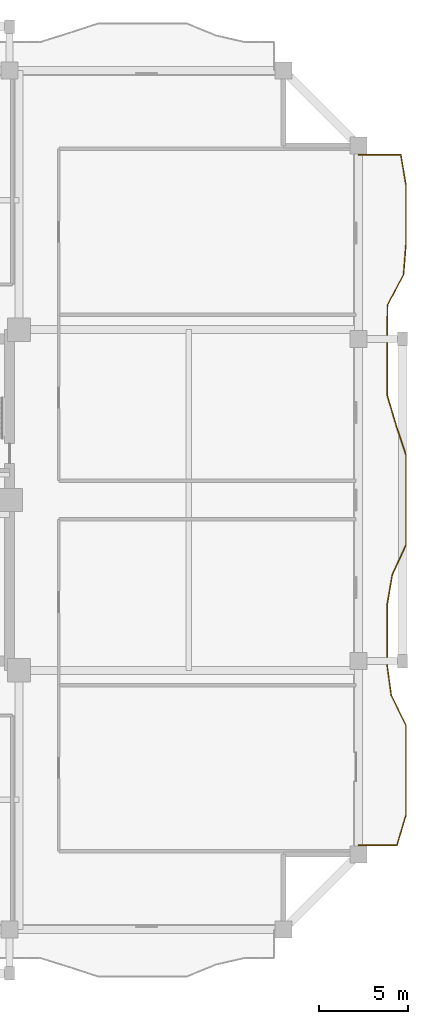
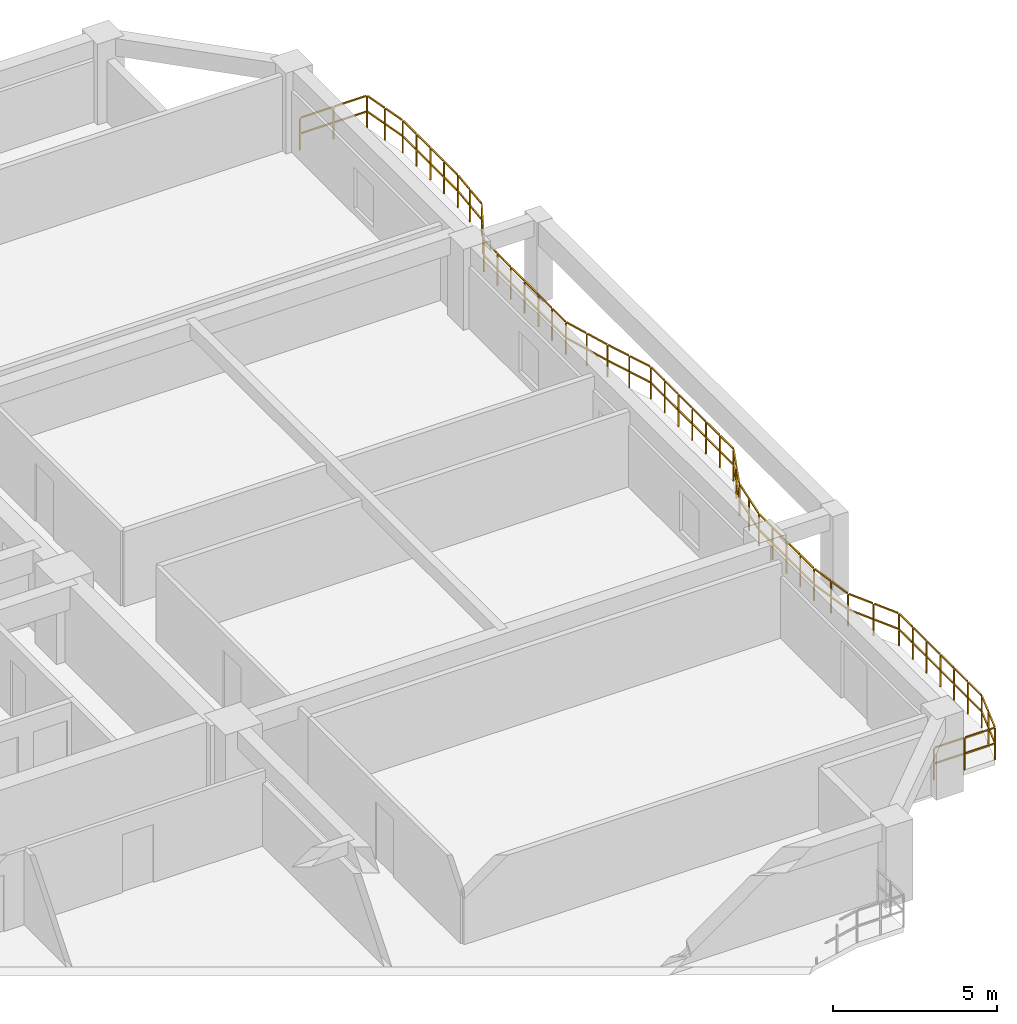
# One storey, part 10 of 11: 1 railing.
"""IFC4 building model written with IfcOpenShell, lengths in metres."""

from ifc_helpers import new_model, si_unit, direction, frame, origin, origin_2d, place, context, subcontext, project, spatial, rectangle, extrude, material, type_object, element, save


model = new_model("IFC4")

# Units and contexts
model_context = context("Model", 3, precision=1e-05, world=origin(), true_north=direction((0.0, 1.0)))
body_context = subcontext(model_context, "Body", "Model", "MODEL_VIEW")
ifc_project = project(units=[si_unit("LENGTHUNIT", "METRE"), si_unit("AREAUNIT", "SQUARE_METRE"), si_unit("VOLUMEUNIT", "CUBIC_METRE"), si_unit("PLANEANGLEUNIT", "RADIAN"), si_unit("MASSUNIT", "GRAM", prefix="KILO")], contexts=[model_context])

# Site, building, storey
site_placement = place(None, origin())
site = spatial("IfcSite", under=ifc_project, at=site_placement, CompositionType="ELEMENT")
building_placement = place(site_placement, origin())
building = spatial("IfcBuilding", under=site, at=building_placement, Name="Saelheon Loggia Tower", CompositionType="ELEMENT")
storey_placement = place(building_placement, frame((0.0, 0.0, 138.75)))
storey = spatial("IfcBuildingStorey", under=building, at=storey_placement, Name="L44", CompositionType="ELEMENT", Elevation=138.75)

# Railing
ifc_material = material(Name="Architectural Precast Concrete and Laminated Glass Guard", Category="concrete")
railing_type = type_object("IfcRailingType", Name="Guard_Loggia_RL_LOG", PredefinedType="BALUSTRADE", material=ifc_material)
railing_placement = place(storey_placement, frame((64.0, 7.699951171875, 0.0)))
element("IfcRailing", 1, at=railing_placement, inside=storey, type_object=railing_type, Name="L44 East Loggia Balustrade", PredefinedType="BALUSTRADE", context=body_context, shape_type="SweptSolid", body=[
    extrude(rectangle(XDim=0.048095703125, YDim=0.048095703125, at=origin_2d()), frame((0.033203125, 0.0, 1.19580078125), z_axis=(1.0, 0.0, 0.0), x_axis=(0.0, 1.0, 0.0)), (0.0, 0.0, 1.0), 1.008544921875),
    extrude(rectangle(XDim=0.048095703125, YDim=0.048095703125, at=origin_2d()), frame((0.033203125, 0.0, 0.60986328125), z_axis=(1.0, 0.0, 0.0), x_axis=(0.0, 1.0, 0.0)), (0.0, 0.0, 1.0), 1.008544921875),
    extrude(rectangle(XDim=0.048095703125, YDim=0.048095703125, at=origin_2d()), frame((1.108154296875, 0.0, 1.19580078125), z_axis=(1.0, 0.0, 0.0), x_axis=(0.0, 1.0, 0.0)), (0.0, 0.0, 1.0), 1.008544921875),
    extrude(rectangle(XDim=0.048095703125, YDim=0.048095703125, at=origin_2d()), frame((1.108154296875, 0.0, 0.60986328125), z_axis=(1.0, 0.0, 0.0), x_axis=(0.0, 1.0, 0.0)), (0.0, 0.0, 1.0), 1.008544921875),
    extrude(rectangle(XDim=0.048095703125, YDim=0.048095703125, at=origin_2d()), frame((2.159423828125, 0.03173828125, 1.19580078125), z_axis=(0.285492932105, 0.958380814561, 0.0), x_axis=(-0.958380814561, 0.285492932105, 0.0)), (0.0, 0.0, 1.0), 0.809326171875),
    extrude(rectangle(XDim=0.048095703125, YDim=0.048095703125, at=origin_2d()), frame((2.159423828125, 0.03173828125, 0.60986328125), z_axis=(0.285492932105, 0.958380814561, 0.0), x_axis=(-0.958380814561, 0.285492932105, 0.0)), (0.0, 0.0, 1.0), 0.809326171875),
    extrude(rectangle(XDim=0.048095703125, YDim=0.048095703125, at=origin_2d()), frame((2.409423828125, 0.87109375, 1.19580078125), z_axis=(0.285492932105, 0.958380814561, 0.0), x_axis=(-0.958380814561, 0.285492932105, 0.0)), (0.0, 0.0, 1.0), 0.809326171875),
    extrude(rectangle(XDim=0.048095703125, YDim=0.048095703125, at=origin_2d()), frame((2.409423828125, 0.87109375, 0.60986328125), z_axis=(0.285492932105, 0.958380814561, 0.0), x_axis=(-0.958380814561, 0.285492932105, 0.0)), (0.0, 0.0, 1.0), 0.809326171875),
    extrude(rectangle(XDim=0.048095703125, YDim=0.048095703125, at=origin_2d()), frame((2.64990234375, 1.711669921875, 1.19580078125), z_axis=(0.0, 1.0, 0.0), x_axis=(-1.0, 0.0, 0.0)), (0.0, 0.0, 1.0), 0.7724609375),
    extrude(rectangle(XDim=0.048095703125, YDim=0.048095703125, at=origin_2d()), frame((2.64990234375, 1.711669921875, 0.60986328125), z_axis=(0.0, 1.0, 0.0), x_axis=(-1.0, 0.0, 0.0)), (0.0, 0.0, 1.0), 0.7724609375),
    extrude(rectangle(XDim=0.048095703125, YDim=0.048095703125, at=origin_2d()), frame((2.64990234375, 2.55078125, 1.19580078125), z_axis=(0.0, 1.0, 0.0), x_axis=(-1.0, 0.0, 0.0)), (0.0, 0.0, 1.0), 0.7724609375),
    extrude(rectangle(XDim=0.048095703125, YDim=0.048095703125, at=origin_2d()), frame((2.64990234375, 2.55078125, 0.60986328125), z_axis=(0.0, 1.0, 0.0), x_axis=(-1.0, 0.0, 0.0)), (0.0, 0.0, 1.0), 0.7724609375),
    extrude(rectangle(XDim=0.048095703125, YDim=0.048095703125, at=origin_2d()), frame((2.64990234375, 3.3896484375, 1.19580078125), z_axis=(0.0, 1.0, 0.0), x_axis=(-1.0, 0.0, 0.0)), (0.0, 0.0, 1.0), 0.772705078125),
    extrude(rectangle(XDim=0.048095703125, YDim=0.048095703125, at=origin_2d()), frame((2.64990234375, 3.3896484375, 0.60986328125), z_axis=(0.0, 1.0, 0.0), x_axis=(-1.0, 0.0, 0.0)), (0.0, 0.0, 1.0), 0.772705078125),
    extrude(rectangle(XDim=0.048095703125, YDim=0.048095703125, at=origin_2d()), frame((2.64990234375, 4.22900390625, 1.19580078125), z_axis=(0.0, 1.0, 0.0), x_axis=(-1.0, 0.0, 0.0)), (0.0, 0.0, 1.0), 0.772705078125),
    extrude(rectangle(XDim=0.048095703125, YDim=0.048095703125, at=origin_2d()), frame((2.64990234375, 4.22900390625, 0.60986328125), z_axis=(0.0, 1.0, 0.0), x_axis=(-1.0, 0.0, 0.0)), (0.0, 0.0, 1.0), 0.772705078125),
    extrude(rectangle(XDim=0.048095703125, YDim=0.048095703125, at=origin_2d()), frame((2.64990234375, 5.068115234375, 1.19580078125), z_axis=(0.0, 1.0, 0.0), x_axis=(-1.0, 0.0, 0.0)), (0.0, 0.0, 1.0), 0.772705078125),
    extrude(rectangle(XDim=0.048095703125, YDim=0.048095703125, at=origin_2d()), frame((2.64990234375, 5.068115234375, 0.60986328125), z_axis=(0.0, 1.0, 0.0), x_axis=(-1.0, 0.0, 0.0)), (0.0, 0.0, 1.0), 0.772705078125),
    extrude(rectangle(XDim=0.048095703125, YDim=0.048095703125, at=origin_2d()), frame((2.64990234375, 5.9072265625, 1.19580078125), z_axis=(0.0, 1.0, 0.0), x_axis=(-1.0, 0.0, 0.0)), (0.0, 0.0, 1.0), 0.772705078125),
    extrude(rectangle(XDim=0.048095703125, YDim=0.048095703125, at=origin_2d()), frame((2.64990234375, 5.9072265625, 0.60986328125), z_axis=(0.0, 1.0, 0.0), x_axis=(-1.0, 0.0, 0.0)), (0.0, 0.0, 1.0), 0.772705078125),
    extrude(rectangle(XDim=0.048095703125, YDim=0.048095703125, at=origin_2d()), frame((2.63525390625, 6.742919921875, 1.19580078125), z_axis=(-0.438299970377, 0.898828757867, 0.0), x_axis=(-0.898828757867, -0.438299970377, 0.0)), (0.0, 0.0, 1.0), 0.8671875),
    extrude(rectangle(XDim=0.048095703125, YDim=0.048095703125, at=origin_2d()), frame((2.63525390625, 6.742919921875, 0.60986328125), z_axis=(-0.438299970377, 0.898828757867, 0.0), x_axis=(-0.898828757867, -0.438299970377, 0.0)), (0.0, 0.0, 1.0), 0.8671875),
    extrude(rectangle(XDim=0.048095703125, YDim=0.048095703125, at=origin_2d()), frame((2.22607421875, 7.58203125, 1.19580078125), z_axis=(-0.438299970377, 0.898828757867, 0.0), x_axis=(-0.898828757867, -0.438299970377, 0.0)), (0.0, 0.0, 1.0), 0.8671875),
    extrude(rectangle(XDim=0.048095703125, YDim=0.048095703125, at=origin_2d()), frame((2.22607421875, 7.58203125, 0.60986328125), z_axis=(-0.438299970377, 0.898828757867, 0.0), x_axis=(-0.898828757867, -0.438299970377, 0.0)), (0.0, 0.0, 1.0), 0.8671875),
    extrude(rectangle(XDim=0.048095703125, YDim=0.048095703125, at=origin_2d()), frame((1.826904296875, 8.42431640625, 1.19580078125), z_axis=(-0.136617890743, 0.990623819585, 0.0), x_axis=(-0.990623819585, -0.136617890743, 0.0)), (0.0, 0.0, 1.0), 0.780517578125),
    extrude(rectangle(XDim=0.048095703125, YDim=0.048095703125, at=origin_2d()), frame((1.826904296875, 8.42431640625, 0.60986328125), z_axis=(-0.136617890743, 0.990623819585, 0.0), x_axis=(-0.990623819585, -0.136617890743, 0.0)), (0.0, 0.0, 1.0), 0.780517578125),
    extrude(rectangle(XDim=0.048095703125, YDim=0.048095703125, at=origin_2d()), frame((1.711181640625, 9.263427734375, 1.19580078125), z_axis=(-0.136617890743, 0.990623819585, 0.0), x_axis=(-0.990623819585, -0.136617890743, 0.0)), (0.0, 0.0, 1.0), 0.780517578125),
    extrude(rectangle(XDim=0.048095703125, YDim=0.048095703125, at=origin_2d()), frame((1.711181640625, 9.263427734375, 0.60986328125), z_axis=(-0.136617890743, 0.990623819585, 0.0), x_axis=(-0.990623819585, -0.136617890743, 0.0)), (0.0, 0.0, 1.0), 0.780517578125),
    extrude(rectangle(XDim=0.048095703125, YDim=0.048095703125, at=origin_2d()), frame((1.60009765625, 10.102783203125, 1.19580078125), z_axis=(0.0, 1.0, 0.0), x_axis=(-1.0, 0.0, 0.0)), (0.0, 0.0, 1.0), 0.772705078125),
    extrude(rectangle(XDim=0.048095703125, YDim=0.048095703125, at=origin_2d()), frame((1.60009765625, 10.102783203125, 0.60986328125), z_axis=(0.0, 1.0, 0.0), x_axis=(-1.0, 0.0, 0.0)), (0.0, 0.0, 1.0), 0.772705078125),
    extrude(rectangle(XDim=0.048095703125, YDim=0.048095703125, at=origin_2d()), frame((1.60009765625, 10.94189453125, 1.19580078125), z_axis=(0.0, 1.0, 0.0), x_axis=(-1.0, 0.0, 0.0)), (0.0, 0.0, 1.0), 0.772705078125),
    extrude(rectangle(XDim=0.048095703125, YDim=0.048095703125, at=origin_2d()), frame((1.60009765625, 10.94189453125, 0.60986328125), z_axis=(0.0, 1.0, 0.0), x_axis=(-1.0, 0.0, 0.0)), (0.0, 0.0, 1.0), 0.772705078125),
    extrude(rectangle(XDim=0.048095703125, YDim=0.048095703125, at=origin_2d()), frame((1.60009765625, 11.781005859375, 1.19580078125), z_axis=(0.0, 1.0, 0.0), x_axis=(-1.0, 0.0, 0.0)), (0.0, 0.0, 1.0), 0.772705078125),
    extrude(rectangle(XDim=0.048095703125, YDim=0.048095703125, at=origin_2d()), frame((1.60009765625, 11.781005859375, 0.60986328125), z_axis=(0.0, 1.0, 0.0), x_axis=(-1.0, 0.0, 0.0)), (0.0, 0.0, 1.0), 0.772705078125),
    extrude(rectangle(XDim=0.048095703125, YDim=0.048095703125, at=origin_2d()), frame((1.60009765625, 12.620361328125, 1.19580078125), z_axis=(0.0, 1.0, 0.0), x_axis=(-1.0, 0.0, 0.0)), (0.0, 0.0, 1.0), 0.772705078125),
    extrude(rectangle(XDim=0.048095703125, YDim=0.048095703125, at=origin_2d()), frame((1.60009765625, 12.620361328125, 0.60986328125), z_axis=(0.0, 1.0, 0.0), x_axis=(-1.0, 0.0, 0.0)), (0.0, 0.0, 1.0), 0.772705078125),
    extrude(rectangle(XDim=0.048095703125, YDim=0.048095703125, at=origin_2d()), frame((1.605712890625, 13.458984375, 1.19580078125), z_axis=(0.165864644071, 0.986148528289, 0.0), x_axis=(-0.986148528289, 0.165864644071, 0.0)), (0.0, 0.0, 1.0), 0.784423828125),
    extrude(rectangle(XDim=0.048095703125, YDim=0.048095703125, at=origin_2d()), frame((1.605712890625, 13.458984375, 0.60986328125), z_axis=(0.165864644071, 0.986148528289, 0.0), x_axis=(-0.986148528289, 0.165864644071, 0.0)), (0.0, 0.0, 1.0), 0.784423828125),
    extrude(rectangle(XDim=0.048095703125, YDim=0.048095703125, at=origin_2d()), frame((1.746826171875, 14.298095703125, 1.19580078125), z_axis=(0.165864644071, 0.986148528289, 0.0), x_axis=(-0.986148528289, 0.165864644071, 0.0)), (0.0, 0.0, 1.0), 0.784423828125),
    extrude(rectangle(XDim=0.048095703125, YDim=0.048095703125, at=origin_2d()), frame((1.746826171875, 14.298095703125, 0.60986328125), z_axis=(0.165864644071, 0.986148528289, 0.0), x_axis=(-0.986148528289, 0.165864644071, 0.0)), (0.0, 0.0, 1.0), 0.784423828125),
    extrude(rectangle(XDim=0.048095703125, YDim=0.048095703125, at=origin_2d()), frame((1.896240234375, 15.134521484375, 1.19580078125), z_axis=(0.41588480052, 0.909417303935, 0.0), x_axis=(-0.909417303935, 0.41588480052, 0.0)), (0.0, 0.0, 1.0), 0.8564453125),
    extrude(rectangle(XDim=0.048095703125, YDim=0.048095703125, at=origin_2d()), frame((1.896240234375, 15.134521484375, 0.60986328125), z_axis=(0.41588480052, 0.909417303935, 0.0), x_axis=(-0.909417303935, 0.41588480052, 0.0)), (0.0, 0.0, 1.0), 0.8564453125),
    extrude(rectangle(XDim=0.048095703125, YDim=0.048095703125, at=origin_2d()), frame((2.280029296875, 15.9736328125, 1.19580078125), z_axis=(0.41588480052, 0.909417303935, 0.0), x_axis=(-0.909417303935, 0.41588480052, 0.0)), (0.0, 0.0, 1.0), 0.8564453125),
    extrude(rectangle(XDim=0.048095703125, YDim=0.048095703125, at=origin_2d()), frame((2.280029296875, 15.9736328125, 0.60986328125), z_axis=(0.41588480052, 0.909417303935, 0.0), x_axis=(-0.909417303935, 0.41588480052, 0.0)), (0.0, 0.0, 1.0), 0.8564453125),
    extrude(rectangle(XDim=0.048095703125, YDim=0.048095703125, at=origin_2d()), frame((2.64990234375, 16.81591796875, 1.19580078125), z_axis=(0.0, 1.0, 0.0), x_axis=(-1.0, 0.0, 0.0)), (0.0, 0.0, 1.0), 0.772705078125),
    extrude(rectangle(XDim=0.048095703125, YDim=0.048095703125, at=origin_2d()), frame((2.64990234375, 16.81591796875, 0.60986328125), z_axis=(0.0, 1.0, 0.0), x_axis=(-1.0, 0.0, 0.0)), (0.0, 0.0, 1.0), 0.772705078125),
    extrude(rectangle(XDim=0.048095703125, YDim=0.048095703125, at=origin_2d()), frame((2.64990234375, 17.655029296875, 1.19580078125), z_axis=(0.0, 1.0, 0.0), x_axis=(-1.0, 0.0, 0.0)), (0.0, 0.0, 1.0), 0.772705078125),
    extrude(rectangle(XDim=0.048095703125, YDim=0.048095703125, at=origin_2d()), frame((2.64990234375, 17.655029296875, 0.60986328125), z_axis=(0.0, 1.0, 0.0), x_axis=(-1.0, 0.0, 0.0)), (0.0, 0.0, 1.0), 0.772705078125),
    extrude(rectangle(XDim=0.048095703125, YDim=0.048095703125, at=origin_2d()), frame((2.64990234375, 18.494140625, 1.19580078125), z_axis=(0.0, 1.0, 0.0), x_axis=(-1.0, 0.0, 0.0)), (0.0, 0.0, 1.0), 0.772705078125),
    extrude(rectangle(XDim=0.048095703125, YDim=0.048095703125, at=origin_2d()), frame((2.64990234375, 18.494140625, 0.60986328125), z_axis=(0.0, 1.0, 0.0), x_axis=(-1.0, 0.0, 0.0)), (0.0, 0.0, 1.0), 0.772705078125),
    extrude(rectangle(XDim=0.048095703125, YDim=0.048095703125, at=origin_2d()), frame((2.64990234375, 19.333251953125, 1.19580078125), z_axis=(0.0, 1.0, 0.0), x_axis=(-1.0, 0.0, 0.0)), (0.0, 0.0, 1.0), 0.772705078125),
    extrude(rectangle(XDim=0.048095703125, YDim=0.048095703125, at=origin_2d()), frame((2.64990234375, 19.333251953125, 0.60986328125), z_axis=(0.0, 1.0, 0.0), x_axis=(-1.0, 0.0, 0.0)), (0.0, 0.0, 1.0), 0.772705078125),
    extrude(rectangle(XDim=0.048095703125, YDim=0.048095703125, at=origin_2d()), frame((2.64990234375, 20.17236328125, 1.19580078125), z_axis=(0.0, 1.0, 0.0), x_axis=(-1.0, 0.0, 0.0)), (0.0, 0.0, 1.0), 0.772705078125),
    extrude(rectangle(XDim=0.048095703125, YDim=0.048095703125, at=origin_2d()), frame((2.64990234375, 20.17236328125, 0.60986328125), z_axis=(0.0, 1.0, 0.0), x_axis=(-1.0, 0.0, 0.0)), (0.0, 0.0, 1.0), 0.772705078125),
    extrude(rectangle(XDim=0.048095703125, YDim=0.048095703125, at=origin_2d()), frame((2.64990234375, 21.011474609375, 1.19580078125), z_axis=(0.0, 1.0, 0.0), x_axis=(-1.0, 0.0, 0.0)), (0.0, 0.0, 1.0), 0.772705078125),
    extrude(rectangle(XDim=0.048095703125, YDim=0.048095703125, at=origin_2d()), frame((2.64990234375, 21.011474609375, 0.60986328125), z_axis=(0.0, 1.0, 0.0), x_axis=(-1.0, 0.0, 0.0)), (0.0, 0.0, 1.0), 0.772705078125),
    extrude(rectangle(XDim=0.048095703125, YDim=0.048095703125, at=origin_2d()), frame((2.639404296875, 21.848876953125, 1.19580078125), z_axis=(-0.312411606213, 0.949946834461, 0.0), x_axis=(-0.949946834461, -0.312411606213, 0.0)), (0.0, 0.0, 1.0), 0.81689453125),
    extrude(rectangle(XDim=0.048095703125, YDim=0.048095703125, at=origin_2d()), frame((2.639404296875, 21.848876953125, 0.60986328125), z_axis=(-0.312411606213, 0.949946834461, 0.0), x_axis=(-0.949946834461, -0.312411606213, 0.0)), (0.0, 0.0, 1.0), 0.81689453125),
    extrude(rectangle(XDim=0.048095703125, YDim=0.048095703125, at=origin_2d()), frame((2.363525390625, 22.688232421875, 1.19580078125), z_axis=(-0.312411606213, 0.949946834461, 0.0), x_axis=(-0.949946834461, -0.312411606213, 0.0)), (0.0, 0.0, 1.0), 0.81689453125),
    extrude(rectangle(XDim=0.048095703125, YDim=0.048095703125, at=origin_2d()), frame((2.363525390625, 22.688232421875, 0.60986328125), z_axis=(-0.312411606213, 0.949946834461, 0.0), x_axis=(-0.949946834461, -0.312411606213, 0.0)), (0.0, 0.0, 1.0), 0.81689453125),
    extrude(rectangle(XDim=0.048095703125, YDim=0.048095703125, at=origin_2d()), frame((2.08837890625, 23.52783203125, 1.19580078125), z_axis=(-0.284416013132, 0.958700960401, 0.0), x_axis=(-0.958700960401, -0.284416013132, 0.0)), (0.0, 0.0, 1.0), 0.80859375),
    extrude(rectangle(XDim=0.048095703125, YDim=0.048095703125, at=origin_2d()), frame((2.08837890625, 23.52783203125, 0.60986328125), z_axis=(-0.284416013132, 0.958700960401, 0.0), x_axis=(-0.958700960401, -0.284416013132, 0.0)), (0.0, 0.0, 1.0), 0.80859375),
    extrude(rectangle(XDim=0.048095703125, YDim=0.048095703125, at=origin_2d()), frame((1.839599609375, 24.36669921875, 1.19580078125), z_axis=(-0.284416013132, 0.958700960401, 0.0), x_axis=(-0.958700960401, -0.284416013132, 0.0)), (0.0, 0.0, 1.0), 0.80859375),
    extrude(rectangle(XDim=0.048095703125, YDim=0.048095703125, at=origin_2d()), frame((1.839599609375, 24.36669921875, 0.60986328125), z_axis=(-0.284416013132, 0.958700960401, 0.0), x_axis=(-0.958700960401, -0.284416013132, 0.0)), (0.0, 0.0, 1.0), 0.80859375),
    extrude(rectangle(XDim=0.048095703125, YDim=0.048095703125, at=origin_2d()), frame((1.60009765625, 25.20703125, 1.19580078125), z_axis=(0.0, 1.0, 0.0), x_axis=(-1.0, 0.0, 0.0)), (0.0, 0.0, 1.0), 0.772705078125),
    extrude(rectangle(XDim=0.048095703125, YDim=0.048095703125, at=origin_2d()), frame((1.60009765625, 25.20703125, 0.60986328125), z_axis=(0.0, 1.0, 0.0), x_axis=(-1.0, 0.0, 0.0)), (0.0, 0.0, 1.0), 0.772705078125),
    extrude(rectangle(XDim=0.048095703125, YDim=0.048095703125, at=origin_2d()), frame((1.60009765625, 26.04638671875, 1.19580078125), z_axis=(0.0, 1.0, 0.0), x_axis=(-1.0, 0.0, 0.0)), (0.0, 0.0, 1.0), 0.772705078125),
    extrude(rectangle(XDim=0.048095703125, YDim=0.048095703125, at=origin_2d()), frame((1.60009765625, 26.04638671875, 0.60986328125), z_axis=(0.0, 1.0, 0.0), x_axis=(-1.0, 0.0, 0.0)), (0.0, 0.0, 1.0), 0.772705078125),
    extrude(rectangle(XDim=0.048095703125, YDim=0.048095703125, at=origin_2d()), frame((1.60009765625, 26.885498046875, 1.19580078125), z_axis=(0.0, 1.0, 0.0), x_axis=(-1.0, 0.0, 0.0)), (0.0, 0.0, 1.0), 0.772705078125),
    extrude(rectangle(XDim=0.048095703125, YDim=0.048095703125, at=origin_2d()), frame((1.60009765625, 26.885498046875, 0.60986328125), z_axis=(0.0, 1.0, 0.0), x_axis=(-1.0, 0.0, 0.0)), (0.0, 0.0, 1.0), 0.772705078125),
    extrude(rectangle(XDim=0.048095703125, YDim=0.048095703125, at=origin_2d()), frame((1.60009765625, 27.724609375, 1.19580078125), z_axis=(0.0, 1.0, 0.0), x_axis=(-1.0, 0.0, 0.0)), (0.0, 0.0, 1.0), 0.772705078125),
    extrude(rectangle(XDim=0.048095703125, YDim=0.048095703125, at=origin_2d()), frame((1.60009765625, 27.724609375, 0.60986328125), z_axis=(0.0, 1.0, 0.0), x_axis=(-1.0, 0.0, 0.0)), (0.0, 0.0, 1.0), 0.772705078125),
    extrude(rectangle(XDim=0.048095703125, YDim=0.048095703125, at=origin_2d()), frame((1.6005859375, 28.563720703125, 1.19580078125), z_axis=(0.014982315851, 0.999887758807, 0.0), x_axis=(-0.999887758807, 0.014982315851, 0.0)), (0.0, 0.0, 1.0), 0.772705078125),
    extrude(rectangle(XDim=0.048095703125, YDim=0.048095703125, at=origin_2d()), frame((1.6005859375, 28.563720703125, 0.60986328125), z_axis=(0.014982315851, 0.999887758807, 0.0), x_axis=(-0.999887758807, 0.014982315851, 0.0)), (0.0, 0.0, 1.0), 0.772705078125),
    extrude(rectangle(XDim=0.048095703125, YDim=0.048095703125, at=origin_2d()), frame((1.61328125, 29.40283203125, 1.19580078125), z_axis=(0.014982315851, 0.999887758807, 0.0), x_axis=(-0.999887758807, 0.014982315851, 0.0)), (0.0, 0.0, 1.0), 0.772705078125),
    extrude(rectangle(XDim=0.048095703125, YDim=0.048095703125, at=origin_2d()), frame((1.61328125, 29.40283203125, 0.60986328125), z_axis=(0.014982315851, 0.999887758807, 0.0), x_axis=(-0.999887758807, 0.014982315851, 0.0)), (0.0, 0.0, 1.0), 0.772705078125),
    extrude(rectangle(XDim=0.048095703125, YDim=0.048095703125, at=origin_2d()), frame((1.640869140625, 30.238037109375, 1.19580078125), z_axis=(0.469974960168, 0.882679747595, 0.0), x_axis=(-0.882679747595, 0.469974960168, 0.0)), (0.0, 0.0, 1.0), 0.88427734375),
    extrude(rectangle(XDim=0.048095703125, YDim=0.048095703125, at=origin_2d()), frame((1.640869140625, 30.238037109375, 0.60986328125), z_axis=(0.469974960168, 0.882679747595, 0.0), x_axis=(-0.882679747595, 0.469974960168, 0.0)), (0.0, 0.0, 1.0), 0.88427734375),
    extrude(rectangle(XDim=0.048095703125, YDim=0.048095703125, at=origin_2d()), frame((2.087646484375, 31.0771484375, 1.19580078125), z_axis=(0.469974960168, 0.882679747595, 0.0), x_axis=(-0.882679747595, 0.469974960168, 0.0)), (0.0, 0.0, 1.0), 0.88427734375),
    extrude(rectangle(XDim=0.048095703125, YDim=0.048095703125, at=origin_2d()), frame((2.087646484375, 31.0771484375, 0.60986328125), z_axis=(0.469974960168, 0.882679747595, 0.0), x_axis=(-0.882679747595, 0.469974960168, 0.0)), (0.0, 0.0, 1.0), 0.88427734375),
    extrude(rectangle(XDim=0.048095703125, YDim=0.048095703125, at=origin_2d()), frame((2.521484375, 31.920166015625, 1.19580078125), z_axis=(0.07788316248, 0.996962493277, 0.0), x_axis=(-0.996962493277, 0.07788316248, 0.0)), (0.0, 0.0, 1.0), 0.775146484375),
    extrude(rectangle(XDim=0.048095703125, YDim=0.048095703125, at=origin_2d()), frame((2.521484375, 31.920166015625, 0.60986328125), z_axis=(0.07788316248, 0.996962493277, 0.0), x_axis=(-0.996962493277, 0.07788316248, 0.0)), (0.0, 0.0, 1.0), 0.775146484375),
    extrude(rectangle(XDim=0.048095703125, YDim=0.048095703125, at=origin_2d()), frame((2.5869140625, 32.75927734375, 1.19580078125), z_axis=(0.07788316248, 0.996962493277, 0.0), x_axis=(-0.996962493277, 0.07788316248, 0.0)), (0.0, 0.0, 1.0), 0.775146484375),
    extrude(rectangle(XDim=0.048095703125, YDim=0.048095703125, at=origin_2d()), frame((2.5869140625, 32.75927734375, 0.60986328125), z_axis=(0.07788316248, 0.996962493277, 0.0), x_axis=(-0.996962493277, 0.07788316248, 0.0)), (0.0, 0.0, 1.0), 0.775146484375),
    extrude(rectangle(XDim=0.048095703125, YDim=0.048095703125, at=origin_2d()), frame((2.64990234375, 33.598388671875, 1.19580078125), z_axis=(0.0, 1.0, 0.0), x_axis=(-1.0, 0.0, 0.0)), (0.0, 0.0, 1.0), 0.772705078125),
    extrude(rectangle(XDim=0.048095703125, YDim=0.048095703125, at=origin_2d()), frame((2.64990234375, 33.598388671875, 0.60986328125), z_axis=(0.0, 1.0, 0.0), x_axis=(-1.0, 0.0, 0.0)), (0.0, 0.0, 1.0), 0.772705078125),
    extrude(rectangle(XDim=0.048095703125, YDim=0.048095703125, at=origin_2d()), frame((2.64990234375, 34.437744140625, 1.19580078125), z_axis=(0.0, 1.0, 0.0), x_axis=(-1.0, 0.0, 0.0)), (0.0, 0.0, 1.0), 0.772705078125),
    extrude(rectangle(XDim=0.048095703125, YDim=0.048095703125, at=origin_2d()), frame((2.64990234375, 34.437744140625, 0.60986328125), z_axis=(0.0, 1.0, 0.0), x_axis=(-1.0, 0.0, 0.0)), (0.0, 0.0, 1.0), 0.772705078125),
    extrude(rectangle(XDim=0.048095703125, YDim=0.048095703125, at=origin_2d()), frame((2.64990234375, 35.27685546875, 1.19580078125), z_axis=(0.0, 1.0, 0.0), x_axis=(-1.0, 0.0, 0.0)), (0.0, 0.0, 1.0), 0.7724609375),
    extrude(rectangle(XDim=0.048095703125, YDim=0.048095703125, at=origin_2d()), frame((2.64990234375, 35.27685546875, 0.60986328125), z_axis=(0.0, 1.0, 0.0), x_axis=(-1.0, 0.0, 0.0)), (0.0, 0.0, 1.0), 0.7724609375),
    extrude(rectangle(XDim=0.048095703125, YDim=0.048095703125, at=origin_2d()), frame((2.64990234375, 36.115966796875, 1.19580078125), z_axis=(0.0, 1.0, 0.0), x_axis=(-1.0, 0.0, 0.0)), (0.0, 0.0, 1.0), 0.7724609375),
    extrude(rectangle(XDim=0.048095703125, YDim=0.048095703125, at=origin_2d()), frame((2.64990234375, 36.115966796875, 0.60986328125), z_axis=(0.0, 1.0, 0.0), x_axis=(-1.0, 0.0, 0.0)), (0.0, 0.0, 1.0), 0.7724609375),
    extrude(rectangle(XDim=0.048095703125, YDim=0.048095703125, at=origin_2d()), frame((2.644287109375, 36.954345703125, 1.19580078125), z_axis=(-0.166375627522, 0.9860624476, 0.0), x_axis=(-0.9860624476, -0.166375627522, 0.0)), (0.0, 0.0, 1.0), 0.78466796875),
    extrude(rectangle(XDim=0.048095703125, YDim=0.048095703125, at=origin_2d()), frame((2.644287109375, 36.954345703125, 0.60986328125), z_axis=(-0.166375627522, 0.9860624476, 0.0), x_axis=(-0.9860624476, -0.166375627522, 0.0)), (0.0, 0.0, 1.0), 0.78466796875),
    extrude(rectangle(XDim=0.048095703125, YDim=0.048095703125, at=origin_2d()), frame((2.502685546875, 37.793701171875, 1.19580078125), z_axis=(-0.166375627522, 0.9860624476, 0.0), x_axis=(-0.9860624476, -0.166375627522, 0.0)), (0.0, 0.0, 1.0), 0.78466796875),
    extrude(rectangle(XDim=0.048095703125, YDim=0.048095703125, at=origin_2d()), frame((2.502685546875, 37.793701171875, 0.60986328125), z_axis=(-0.166375627522, 0.9860624476, 0.0), x_axis=(-0.9860624476, -0.166375627522, 0.0)), (0.0, 0.0, 1.0), 0.78466796875),
    extrude(rectangle(XDim=0.048095703125, YDim=0.048095703125, at=origin_2d()), frame((2.33349609375, 38.60009765625, 1.19580078125), z_axis=(-1.0, 0.0, 0.0), x_axis=(0.0, -1.0, 0.0)), (0.0, 0.0, 1.0), 1.116943359375),
    extrude(rectangle(XDim=0.048095703125, YDim=0.048095703125, at=origin_2d()), frame((2.33349609375, 38.60009765625, 0.60986328125), z_axis=(-1.0, 0.0, 0.0), x_axis=(0.0, -1.0, 0.0)), (0.0, 0.0, 1.0), 1.116943359375),
    extrude(rectangle(XDim=0.048095703125, YDim=0.048095703125, at=origin_2d()), frame((1.150146484375, 38.60009765625, 1.19580078125), z_axis=(-1.0, 0.0, 0.0), x_axis=(0.0, -1.0, 0.0)), (0.0, 0.0, 1.0), 1.116943359375),
    extrude(rectangle(XDim=0.048095703125, YDim=0.048095703125, at=origin_2d()), frame((1.150146484375, 38.60009765625, 0.60986328125), z_axis=(-1.0, 0.0, 0.0), x_axis=(0.0, -1.0, 0.0)), (0.0, 0.0, 1.0), 1.116943359375),
    extrude(rectangle(XDim=0.0419921875, YDim=0.0419921875, at=origin_2d()), origin(), (0.0, 0.0, 1.0), 1.16796875),
    extrude(rectangle(XDim=0.0419921875, YDim=0.0419921875, at=origin_2d()), frame((1.074951171875, 0.0, 0.0)), (0.0, 0.0, 1.0), 1.16796875),
    extrude(rectangle(XDim=0.0419921875, YDim=0.0419921875, at=origin_2d()), frame((2.14990234375, 0.0, 0.0)), (0.0, 0.0, 1.0), 1.16796875),
    extrude(rectangle(XDim=0.0419921875, YDim=0.0419921875, at=origin_2d()), frame((2.39990234375, 0.83935546875, 0.0)), (0.0, 0.0, 1.0), 1.16796875),
    extrude(rectangle(XDim=0.0419921875, YDim=0.0419921875, at=origin_2d()), frame((2.64990234375, 1.678466796875, 0.0)), (0.0, 0.0, 1.0), 1.16796875),
    extrude(rectangle(XDim=0.0419921875, YDim=0.0419921875, at=origin_2d()), frame((2.64990234375, 2.517578125, 0.0)), (0.0, 0.0, 1.0), 1.16796875),
    extrude(rectangle(XDim=0.0419921875, YDim=0.0419921875, at=origin_2d()), frame((2.64990234375, 3.3564453125, 0.0)), (0.0, 0.0, 1.0), 1.16796875),
    extrude(rectangle(XDim=0.0419921875, YDim=0.0419921875, at=origin_2d()), frame((2.64990234375, 4.19580078125, 0.0)), (0.0, 0.0, 1.0), 1.16796875),
    extrude(rectangle(XDim=0.0419921875, YDim=0.0419921875, at=origin_2d()), frame((2.64990234375, 5.034912109375, 0.0)), (0.0, 0.0, 1.0), 1.16796875),
    extrude(rectangle(XDim=0.0419921875, YDim=0.0419921875, at=origin_2d()), frame((2.64990234375, 5.8740234375, 0.0)), (0.0, 0.0, 1.0), 1.16796875),
    extrude(rectangle(XDim=0.0419921875, YDim=0.0419921875, at=origin_2d()), frame((2.64990234375, 6.713134765625, 0.0)), (0.0, 0.0, 1.0), 1.16796875),
    extrude(rectangle(XDim=0.0419921875, YDim=0.0419921875, at=origin_2d()), frame((2.24072265625, 7.55224609375, 0.0)), (0.0, 0.0, 1.0), 1.16796875),
    extrude(rectangle(XDim=0.0419921875, YDim=0.0419921875, at=origin_2d()), frame((1.83154296875, 8.391357421875, 0.0)), (0.0, 0.0, 1.0), 1.16796875),
    extrude(rectangle(XDim=0.0419921875, YDim=0.0419921875, at=origin_2d()), frame((1.7158203125, 9.23046875, 0.0)), (0.0, 0.0, 1.0), 1.16796875),
    extrude(rectangle(XDim=0.0419921875, YDim=0.0419921875, at=origin_2d()), frame((1.60009765625, 10.069580078125, 0.0)), (0.0, 0.0, 1.0), 1.16796875),
    extrude(rectangle(XDim=0.0419921875, YDim=0.0419921875, at=origin_2d()), frame((1.60009765625, 10.90869140625, 0.0)), (0.0, 0.0, 1.0), 1.16796875),
    extrude(rectangle(XDim=0.0419921875, YDim=0.0419921875, at=origin_2d()), frame((1.60009765625, 11.747802734375, 0.0)), (0.0, 0.0, 1.0), 1.16796875),
    extrude(rectangle(XDim=0.0419921875, YDim=0.0419921875, at=origin_2d()), frame((1.60009765625, 12.5869140625, 0.0)), (0.0, 0.0, 1.0), 1.16796875),
    extrude(rectangle(XDim=0.0419921875, YDim=0.0419921875, at=origin_2d()), frame((1.60009765625, 13.42626953125, 0.0)), (0.0, 0.0, 1.0), 1.16796875),
    extrude(rectangle(XDim=0.0419921875, YDim=0.0419921875, at=origin_2d()), frame((1.7412109375, 14.26513671875, 0.0)), (0.0, 0.0, 1.0), 1.16796875),
    extrude(rectangle(XDim=0.0419921875, YDim=0.0419921875, at=origin_2d()), frame((1.88232421875, 15.104248046875, 0.0)), (0.0, 0.0, 1.0), 1.16796875),
    extrude(rectangle(XDim=0.0419921875, YDim=0.0419921875, at=origin_2d()), frame((2.26611328125, 15.943359375, 0.0)), (0.0, 0.0, 1.0), 1.16796875),
    extrude(rectangle(XDim=0.0419921875, YDim=0.0419921875, at=origin_2d()), frame((2.64990234375, 16.78271484375, 0.0)), (0.0, 0.0, 1.0), 1.16796875),
    extrude(rectangle(XDim=0.0419921875, YDim=0.0419921875, at=origin_2d()), frame((2.64990234375, 17.621826171875, 0.0)), (0.0, 0.0, 1.0), 1.16796875),
    extrude(rectangle(XDim=0.0419921875, YDim=0.0419921875, at=origin_2d()), frame((2.64990234375, 18.4609375, 0.0)), (0.0, 0.0, 1.0), 1.16796875),
    extrude(rectangle(XDim=0.0419921875, YDim=0.0419921875, at=origin_2d()), frame((2.64990234375, 19.300048828125, 0.0)), (0.0, 0.0, 1.0), 1.16796875),
    extrude(rectangle(XDim=0.0419921875, YDim=0.0419921875, at=origin_2d()), frame((2.64990234375, 20.13916015625, 0.0)), (0.0, 0.0, 1.0), 1.16796875),
    extrude(rectangle(XDim=0.0419921875, YDim=0.0419921875, at=origin_2d()), frame((2.64990234375, 20.978271484375, 0.0)), (0.0, 0.0, 1.0), 1.16796875),
    extrude(rectangle(XDim=0.0419921875, YDim=0.0419921875, at=origin_2d()), frame((2.64990234375, 21.8173828125, 0.0)), (0.0, 0.0, 1.0), 1.16796875),
    extrude(rectangle(XDim=0.0419921875, YDim=0.0419921875, at=origin_2d()), frame((2.3740234375, 22.65673828125, 0.0)), (0.0, 0.0, 1.0), 1.16796875),
    extrude(rectangle(XDim=0.0419921875, YDim=0.0419921875, at=origin_2d()), frame((2.097900390625, 23.495849609375, 0.0)), (0.0, 0.0, 1.0), 1.16796875),
    extrude(rectangle(XDim=0.0419921875, YDim=0.0419921875, at=origin_2d()), frame((1.84912109375, 24.3349609375, 0.0)), (0.0, 0.0, 1.0), 1.16796875),
    extrude(rectangle(XDim=0.0419921875, YDim=0.0419921875, at=origin_2d()), frame((1.60009765625, 25.173828125, 0.0)), (0.0, 0.0, 1.0), 1.16796875),
    extrude(rectangle(XDim=0.0419921875, YDim=0.0419921875, at=origin_2d()), frame((1.60009765625, 26.01318359375, 0.0)), (0.0, 0.0, 1.0), 1.16796875),
    extrude(rectangle(XDim=0.0419921875, YDim=0.0419921875, at=origin_2d()), frame((1.60009765625, 26.852294921875, 0.0)), (0.0, 0.0, 1.0), 1.16796875),
    extrude(rectangle(XDim=0.0419921875, YDim=0.0419921875, at=origin_2d()), frame((1.60009765625, 27.69140625, 0.0)), (0.0, 0.0, 1.0), 1.16796875),
    extrude(rectangle(XDim=0.0419921875, YDim=0.0419921875, at=origin_2d()), frame((1.60009765625, 28.530517578125, 0.0)), (0.0, 0.0, 1.0), 1.16796875),
    extrude(rectangle(XDim=0.0419921875, YDim=0.0419921875, at=origin_2d()), frame((1.61279296875, 29.36962890625, 0.0)), (0.0, 0.0, 1.0), 1.16796875),
    extrude(rectangle(XDim=0.0419921875, YDim=0.0419921875, at=origin_2d()), frame((1.625244140625, 30.208740234375, 0.0)), (0.0, 0.0, 1.0), 1.16796875),
    extrude(rectangle(XDim=0.0419921875, YDim=0.0419921875, at=origin_2d()), frame((2.072021484375, 31.0478515625, 0.0)), (0.0, 0.0, 1.0), 1.16796875),
    extrude(rectangle(XDim=0.0419921875, YDim=0.0419921875, at=origin_2d()), frame((2.518798828125, 31.886962890625, 0.0)), (0.0, 0.0, 1.0), 1.16796875),
    extrude(rectangle(XDim=0.0419921875, YDim=0.0419921875, at=origin_2d()), frame((2.58447265625, 32.72607421875, 0.0)), (0.0, 0.0, 1.0), 1.16796875),
    extrude(rectangle(XDim=0.0419921875, YDim=0.0419921875, at=origin_2d()), frame((2.64990234375, 33.565185546875, 0.0)), (0.0, 0.0, 1.0), 1.16796875),
    extrude(rectangle(XDim=0.0419921875, YDim=0.0419921875, at=origin_2d()), frame((2.64990234375, 34.404296875, 0.0)), (0.0, 0.0, 1.0), 1.16796875),
    extrude(rectangle(XDim=0.0419921875, YDim=0.0419921875, at=origin_2d()), frame((2.64990234375, 35.24365234375, 0.0)), (0.0, 0.0, 1.0), 1.16796875),
    extrude(rectangle(XDim=0.0419921875, YDim=0.0419921875, at=origin_2d()), frame((2.64990234375, 36.08251953125, 0.0)), (0.0, 0.0, 1.0), 1.16796875),
    extrude(rectangle(XDim=0.0419921875, YDim=0.0419921875, at=origin_2d()), frame((2.64990234375, 36.921630859375, 0.0)), (0.0, 0.0, 1.0), 1.16796875),
    extrude(rectangle(XDim=0.0419921875, YDim=0.0419921875, at=origin_2d()), frame((2.50830078125, 37.7607421875, 0.0)), (0.0, 0.0, 1.0), 1.16796875),
    extrude(rectangle(XDim=0.0419921875, YDim=0.0419921875, at=origin_2d()), frame((2.36669921875, 38.60009765625, 0.0)), (0.0, 0.0, 1.0), 1.16796875),
    extrude(rectangle(XDim=0.0419921875, YDim=0.0419921875, at=origin_2d()), frame((1.183349609375, 38.60009765625, 0.0)), (0.0, 0.0, 1.0), 1.16796875),
    extrude(rectangle(XDim=0.0419921875, YDim=0.0419921875, at=origin_2d()), frame((0.0, 38.60009765625, 0.0)), (0.0, 0.0, 1.0), 1.16796875),
])

save(model, "model.ifc")
